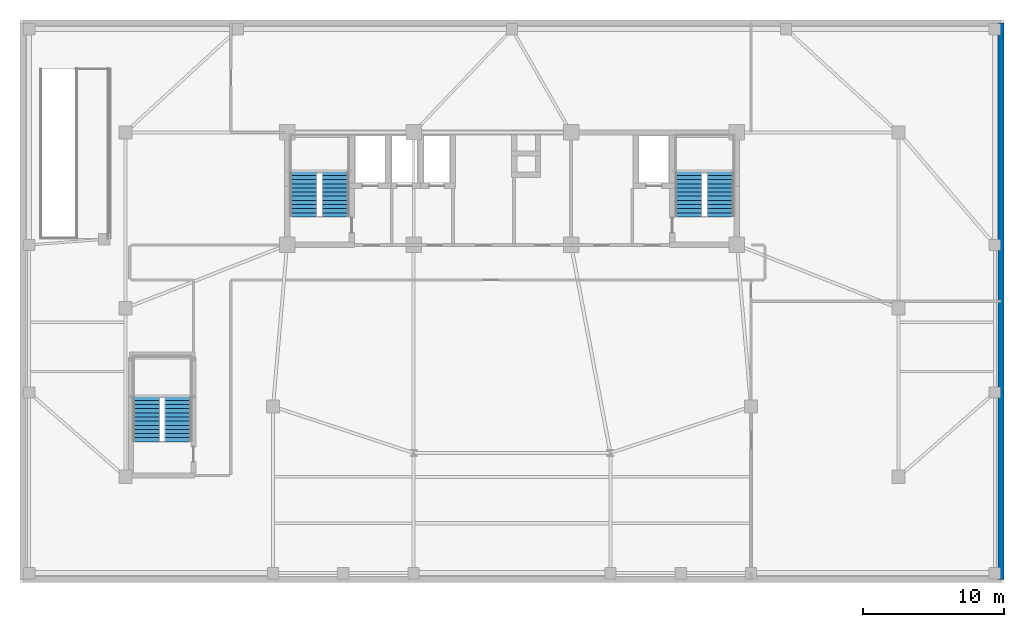
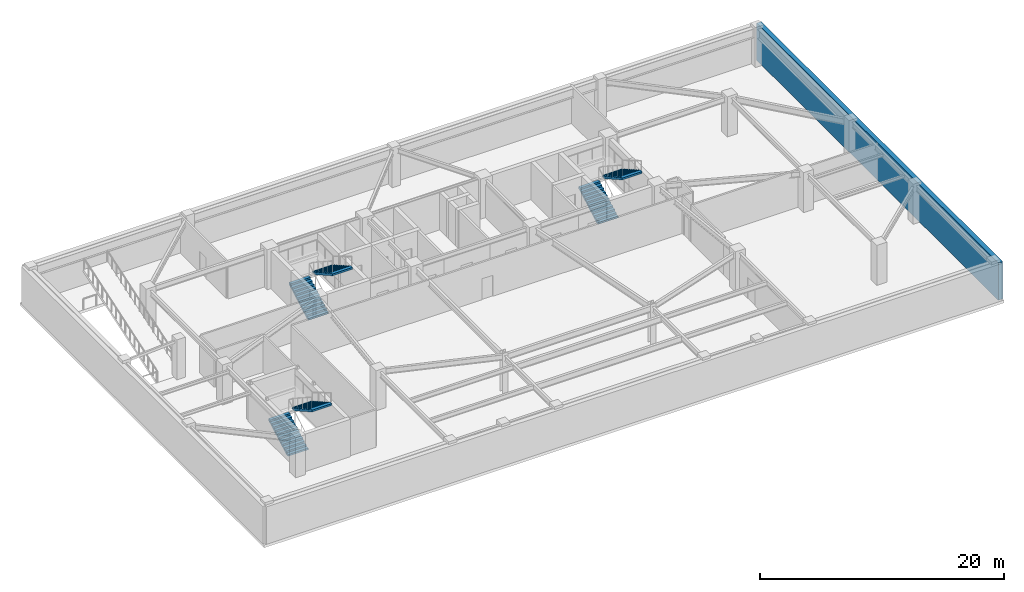
# One storey, part 6 of 8: 6 stair flights, 1 wall, 3 elements without a shape of their own.
"""IFC4 building model written with IfcOpenShell, lengths in metres."""

from ifc_helpers import new_model, si_unit, direction, frame, frame_2d, origin, place, context, subcontext, project, spatial, polyline, rectangle, outline, extrude, source, transform, mapped, material, layer, layer_set, type_object, element, aggregate, save


model = new_model("IFC4")

# Units and contexts
model_context = context("Model", 3, precision=1e-05, world=origin(), true_north=direction((0.0, 1.0)))
body_context = subcontext(model_context, "Body", "Model", "MODEL_VIEW")
ifc_project = project(units=[si_unit("LENGTHUNIT", "METRE"), si_unit("AREAUNIT", "SQUARE_METRE"), si_unit("VOLUMEUNIT", "CUBIC_METRE"), si_unit("PLANEANGLEUNIT", "RADIAN"), si_unit("MASSUNIT", "GRAM", prefix="KILO")], contexts=[model_context])

# Site, building, storey
site_placement = place(None, origin())
site = spatial("IfcSite", under=ifc_project, at=site_placement, CompositionType="ELEMENT")
building_placement = place(site_placement, origin())
building = spatial("IfcBuilding", under=site, at=building_placement, Name="Taldren Reach Tower", CompositionType="ELEMENT")
storey_placement = place(building_placement, frame((0.0, 0.0, -4.0)))
storey = spatial("IfcBuildingStorey", under=building, at=storey_placement, Name="B1", CompositionType="ELEMENT", Elevation=-4.0)

# Wall
ifc_material_1 = material(Name="Concrete S50 (50 MPa)", Category="concrete")
ifc_layer_1 = layer(ifc_material_1, 0.4, Name="Concrete S50 (50 MPa)", Category="concrete")
ifc_material_2 = material(Name="SBS Waterproofing Membrane", Category="bitumen")
ifc_layer_2 = layer(ifc_material_2, 0.02, Name="SBS Waterproofing Membrane", Category="bitumen")
ifc_layer_set = layer_set([ifc_layer_1, ifc_layer_2], Name="Concrete 50 MPa (S50) Retaining Wall with Waterproofing Membrane")
wall_type = type_object("IfcWallType", Name="EW-RET-420", PredefinedType="SOLIDWALL", material=ifc_layer_set)
shared_shape = source(origin(), body_context, "Body", "SweptSolid", [
    extrude(rectangle(XDim=39.580078125, YDim=0.419921875, at=frame_2d((19.7900390625, 0.0))), origin(), (0.0, 0.0, 1.0), 3.739990234375),
])
wall_placement = place(storey_placement, frame((69.7900390625, 0.2099609375, 0.0), z_axis=(0.0, 0.0, 1.0), x_axis=(0.0, 1.0, 0.0)))
element("IfcWall", 1, at=wall_placement, inside=storey, type_object=wall_type, Name="Basement diaphragm retaining wall B1-E", PredefinedType="SOLIDWALL", context=body_context, shape_type="MappedRepresentation", body=[
    mapped(shared_shape, transform((0.0, 0.0, 0.0), scale=1.0)),
])

# Stair, stair flights
stair_type_1 = type_object("IfcStairType", Name="ST-HT-400", PredefinedType="HALF_TURN_STAIR", material=ifc_material_1)
stair_1_placement = place(storey_placement, origin())
stair_1 = element("IfcStair", 2, at=stair_1_placement, inside=storey, type_object=stair_type_1, Name="Fire-isolated exit stair ST1 B1", PredefinedType="HALF_TURN_STAIR")
stair_flight_type_1 = type_object("IfcStairFlightType", Name="SF-STR-400", PredefinedType="STRAIGHT", material=ifc_material_1)
stair_flight_1_placement = place(storey_placement, frame((20.169921875, 25.989990234375, 0.0), z_axis=(0.0, 0.0, 1.0), x_axis=(0.0, 1.0, 0.0)))
stair_flight_1 = element("IfcStairFlight", 3, at=stair_flight_1_placement, type_object=stair_flight_type_1, Name="ST1 flight 1", NumberOfRisers=12, NumberOfTreads=11, PredefinedType="STRAIGHT", RiserHeight=0.166667, TreadLength=0.295, context=body_context, shape_type="SweptSolid", body=[
    extrude(outline(polyline([(0.0, 0.0), (0.0, 0.166748046875), (0.294921875, 0.166748046875), (0.294921875, 0.333251953125), (0.590087890625, 0.333251953125), (0.590087890625, 0.5), (0.885009765625, 0.5), (0.885009765625, 0.666748046875), (1.179931640625, 0.666748046875), (1.179931640625, 0.833251953125), (1.47509765625, 0.833251953125), (1.47509765625, 1.0), (1.77001953125, 1.0), (1.77001953125, 1.166748046875), (2.06494140625, 1.166748046875), (2.06494140625, 1.333251953125), (2.360107421875, 1.333251953125), (2.360107421875, 1.5), (2.655029296875, 1.5), (2.655029296875, 1.666748046875), (2.949951171875, 1.666748046875), (2.949951171875, 1.833251953125), (3.2451171875, 1.833251953125), (3.2451171875, 2.0), (3.2451171875, 1.649658203125), (0.3251953125, 0.0), (0.0, 0.0)])), frame((0.0, 0.949951171875, 0.0), z_axis=(0.0, -1.0, 0.0), x_axis=(1.0, 0.0, 0.0)), (0.0, 0.0, 1.0), 1.89990234375),
])
stair_flight_2_placement = place(storey_placement, frame((22.429931640625, 29.235107421875, 2.0), z_axis=(0.0, 0.0, 1.0), x_axis=(0.0, -1.0, 0.0)))
stair_flight_2 = element("IfcStairFlight", 4, at=stair_flight_2_placement, type_object=stair_flight_type_1, Name="ST1 flight 2", NumberOfRisers=12, NumberOfTreads=11, PredefinedType="STRAIGHT", RiserHeight=0.166667, TreadLength=0.295, context=body_context, shape_type="SweptSolid", body=[
    extrude(outline(polyline([(0.0, 0.0), (0.0, 0.166748046875), (0.294921875, 0.166748046875), (0.294921875, 0.333251953125), (0.590087890625, 0.333251953125), (0.590087890625, 0.5), (0.885009765625, 0.5), (0.885009765625, 0.666748046875), (1.179931640625, 0.666748046875), (1.179931640625, 0.833251953125), (1.47509765625, 0.833251953125), (1.47509765625, 1.0), (1.77001953125, 1.0), (1.77001953125, 1.166748046875), (2.06494140625, 1.166748046875), (2.06494140625, 1.333251953125), (2.360107421875, 1.333251953125), (2.360107421875, 1.5), (2.655029296875, 1.5), (2.655029296875, 1.666748046875), (2.949951171875, 1.666748046875), (2.949951171875, 1.833251953125), (3.2451171875, 1.833251953125), (3.2451171875, 2.0), (3.2451171875, 1.649658203125), (0.3251953125, 0.0), (0.0, 0.0)])), frame((0.0, 0.949951171875, 0.0), z_axis=(0.0, -1.0, 0.0), x_axis=(1.0, 0.0, 0.0)), (0.0, 0.0, 1.0), 1.89990234375),
])
aggregate(stair_1, [stair_flight_1, stair_flight_2])

stair_2_placement = place(storey_placement, origin())
stair_2 = element("IfcStair", 5, at=stair_2_placement, inside=storey, type_object=stair_type_1, Name="Fire-isolated exit stair ST2 B1", PredefinedType="HALF_TURN_STAIR")
stair_flight_3_placement = place(storey_placement, frame((47.570068359375, 25.989990234375, 0.0), z_axis=(0.0, 0.0, 1.0), x_axis=(0.0, 1.0, 0.0)))
stair_flight_3 = element("IfcStairFlight", 6, at=stair_flight_3_placement, type_object=stair_flight_type_1, Name="ST2 flight 1", NumberOfRisers=12, NumberOfTreads=11, PredefinedType="STRAIGHT", RiserHeight=0.166667, TreadLength=0.295, context=body_context, shape_type="SweptSolid", body=[
    extrude(outline(polyline([(0.0, 0.0), (0.0, 0.166748046875), (0.294921875, 0.166748046875), (0.294921875, 0.333251953125), (0.590087890625, 0.333251953125), (0.590087890625, 0.5), (0.885009765625, 0.5), (0.885009765625, 0.666748046875), (1.179931640625, 0.666748046875), (1.179931640625, 0.833251953125), (1.47509765625, 0.833251953125), (1.47509765625, 1.0), (1.77001953125, 1.0), (1.77001953125, 1.166748046875), (2.06494140625, 1.166748046875), (2.06494140625, 1.333251953125), (2.360107421875, 1.333251953125), (2.360107421875, 1.5), (2.655029296875, 1.5), (2.655029296875, 1.666748046875), (2.949951171875, 1.666748046875), (2.949951171875, 1.833251953125), (3.2451171875, 1.833251953125), (3.2451171875, 2.0), (3.2451171875, 1.649658203125), (0.3251953125, 0.0), (0.0, 0.0)])), frame((0.0, 0.949951171875, 0.0), z_axis=(0.0, -1.0, 0.0), x_axis=(1.0, 0.0, 0.0)), (0.0, 0.0, 1.0), 1.89990234375),
])
stair_flight_4_placement = place(storey_placement, frame((49.830078125, 29.235107421875, 2.0), z_axis=(0.0, 0.0, 1.0), x_axis=(0.0, -1.0, 0.0)))
stair_flight_4 = element("IfcStairFlight", 7, at=stair_flight_4_placement, type_object=stair_flight_type_1, Name="ST2 flight 2", NumberOfRisers=12, NumberOfTreads=11, PredefinedType="STRAIGHT", RiserHeight=0.166667, TreadLength=0.295, context=body_context, shape_type="SweptSolid", body=[
    extrude(outline(polyline([(0.0, 0.0), (0.0, 0.166748046875), (0.294921875, 0.166748046875), (0.294921875, 0.333251953125), (0.590087890625, 0.333251953125), (0.590087890625, 0.5), (0.885009765625, 0.5), (0.885009765625, 0.666748046875), (1.179931640625, 0.666748046875), (1.179931640625, 0.833251953125), (1.47509765625, 0.833251953125), (1.47509765625, 1.0), (1.77001953125, 1.0), (1.77001953125, 1.166748046875), (2.06494140625, 1.166748046875), (2.06494140625, 1.333251953125), (2.360107421875, 1.333251953125), (2.360107421875, 1.5), (2.655029296875, 1.5), (2.655029296875, 1.666748046875), (2.949951171875, 1.666748046875), (2.949951171875, 1.833251953125), (3.2451171875, 1.833251953125), (3.2451171875, 2.0), (3.2451171875, 1.649658203125), (0.3251953125, 0.0), (0.0, 0.0)])), frame((0.0, 0.949951171875, 0.0), z_axis=(0.0, -1.0, 0.0), x_axis=(1.0, 0.0, 0.0)), (0.0, 0.0, 1.0), 1.89990234375),
])
aggregate(stair_2, [stair_flight_3, stair_flight_4])

stair_type_2 = type_object("IfcStairType", Name="ST-HT-POD", PredefinedType="HALF_TURN_STAIR", material=ifc_material_1)
stair_3_placement = place(storey_placement, origin())
stair_3 = element("IfcStair", 8, at=stair_3_placement, inside=storey, type_object=stair_type_2, Name="Fire-isolated exit stair ST3 B1", PredefinedType="HALF_TURN_STAIR")
stair_flight_type_2 = type_object("IfcStairFlightType", Name="SF-STR-POD", PredefinedType="STRAIGHT", material=ifc_material_1)
stair_flight_5_placement = place(storey_placement, frame((9.0, 9.989990234375, 0.0), z_axis=(0.0, 0.0, 1.0), x_axis=(0.0, 1.0, 0.0)))
stair_flight_5 = element("IfcStairFlight", 9, at=stair_flight_5_placement, type_object=stair_flight_type_2, Name="ST3 flight 1", NumberOfRisers=12, NumberOfTreads=11, PredefinedType="STRAIGHT", RiserHeight=0.166667, TreadLength=0.295, context=body_context, shape_type="SweptSolid", body=[
    extrude(outline(polyline([(0.0, 0.0), (0.0, 0.166748046875), (0.294921875, 0.166748046875), (0.294921875, 0.333251953125), (0.590087890625, 0.333251953125), (0.590087890625, 0.5), (0.885009765625, 0.5), (0.885009765625, 0.666748046875), (1.179931640625, 0.666748046875), (1.179931640625, 0.833251953125), (1.47509765625, 0.833251953125), (1.47509765625, 1.0), (1.77001953125, 1.0), (1.77001953125, 1.166748046875), (2.06494140625, 1.166748046875), (2.06494140625, 1.333251953125), (2.360107421875, 1.333251953125), (2.360107421875, 1.5), (2.655029296875, 1.5), (2.655029296875, 1.666748046875), (2.949951171875, 1.666748046875), (2.949951171875, 1.833251953125), (3.2451171875, 1.833251953125), (3.2451171875, 2.0), (3.2451171875, 1.649658203125), (0.3251953125, 0.0), (0.0, 0.0)])), frame((0.0, 0.949951171875, 0.0), z_axis=(0.0, -1.0, 0.0), x_axis=(1.0, 0.0, 0.0)), (0.0, 0.0, 1.0), 1.89990234375),
])
stair_flight_6_placement = place(storey_placement, frame((11.239990234375, 13.235107421875, 2.0), z_axis=(0.0, 0.0, 1.0), x_axis=(0.0, -1.0, 0.0)))
stair_flight_6 = element("IfcStairFlight", 10, at=stair_flight_6_placement, type_object=stair_flight_type_2, Name="ST3 flight 2", NumberOfRisers=12, NumberOfTreads=11, PredefinedType="STRAIGHT", RiserHeight=0.166667, TreadLength=0.295, context=body_context, shape_type="SweptSolid", body=[
    extrude(outline(polyline([(0.0, 0.0), (0.0, 0.166748046875), (0.294921875, 0.166748046875), (0.294921875, 0.333251953125), (0.590087890625, 0.333251953125), (0.590087890625, 0.5), (0.885009765625, 0.5), (0.885009765625, 0.666748046875), (1.179931640625, 0.666748046875), (1.179931640625, 0.833251953125), (1.47509765625, 0.833251953125), (1.47509765625, 1.0), (1.77001953125, 1.0), (1.77001953125, 1.166748046875), (2.06494140625, 1.166748046875), (2.06494140625, 1.333251953125), (2.360107421875, 1.333251953125), (2.360107421875, 1.5), (2.655029296875, 1.5), (2.655029296875, 1.666748046875), (2.949951171875, 1.666748046875), (2.949951171875, 1.833251953125), (3.2451171875, 1.833251953125), (3.2451171875, 2.0), (3.2451171875, 1.649658203125), (0.3251953125, 0.0), (0.0, 0.0)])), frame((0.0, 0.949951171875, 0.0), z_axis=(0.0, -1.0, 0.0), x_axis=(1.0, 0.0, 0.0)), (0.0, 0.0, 1.0), 1.89990234375),
])
aggregate(stair_3, [stair_flight_5, stair_flight_6])

save(model, "model.ifc")
